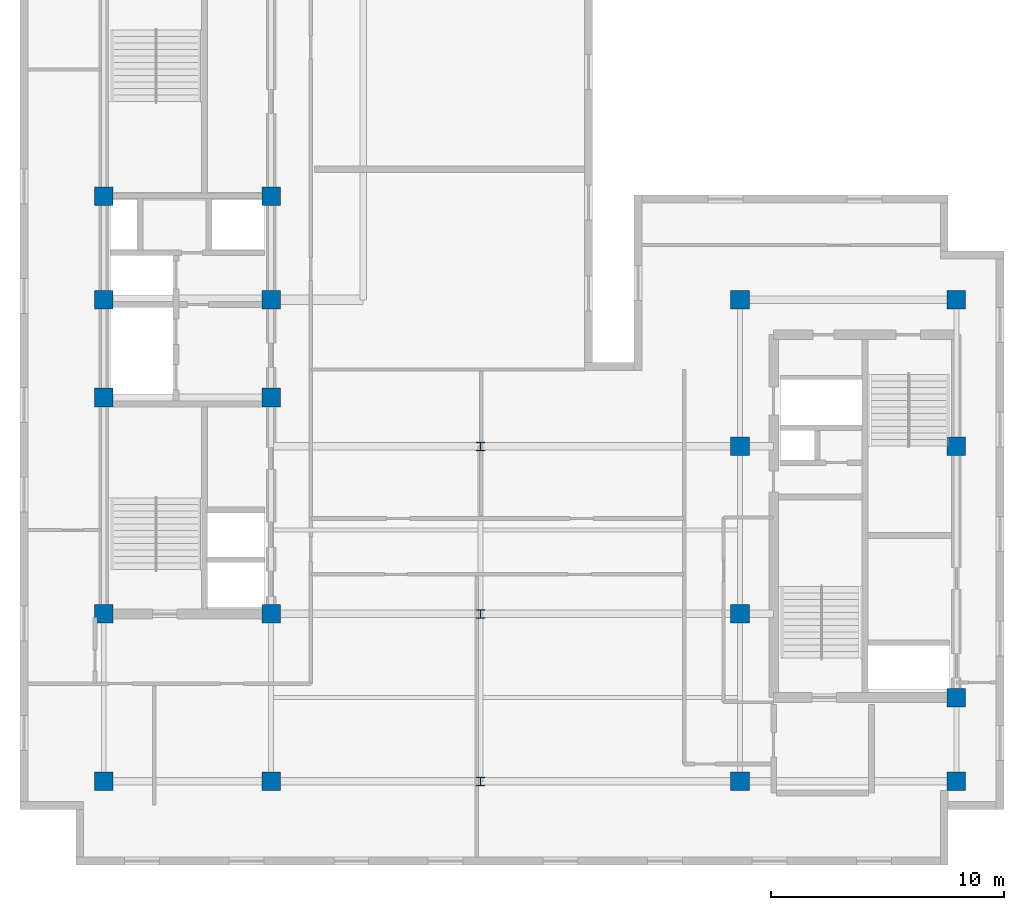
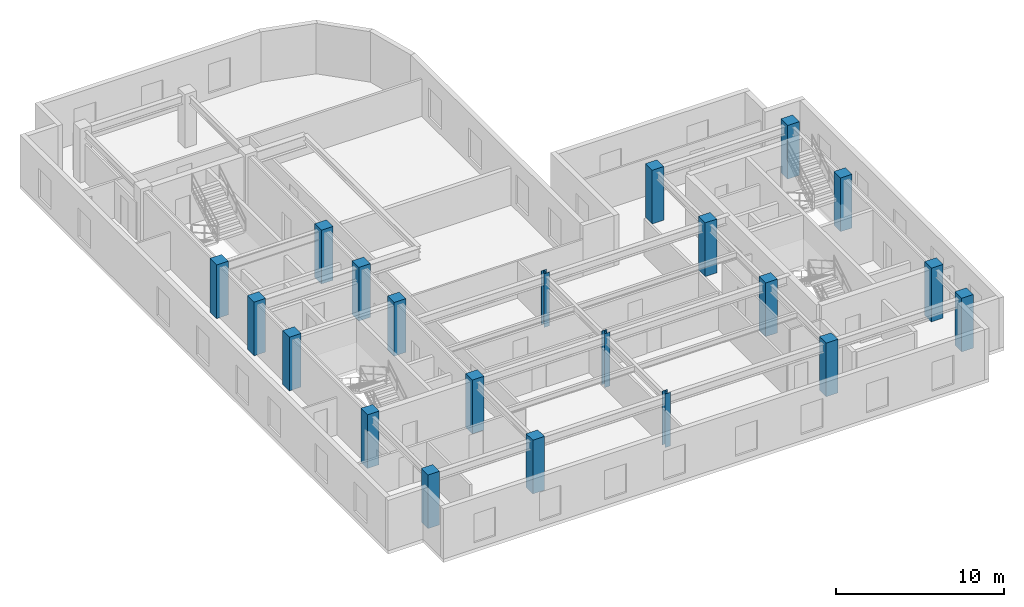
# One storey, part 1 of 9: 21 columns.
"""IFC4 building model written with IfcOpenShell, lengths in metres."""

from ifc_helpers import new_model, entity, si_unit, converted_unit, direction, frame, origin_with_axes, origin_2d_with_axis, place, context, subcontext, project, spatial, rectangle, i_section, extrude, material, material_profile, profile_set, type_object, element, save


model = new_model("IFC4")

# Units and contexts
model_context = context("Model", 3, precision=1e-05, world=origin_with_axes(), true_north=direction((0.0, 1.0)))
body_context = subcontext(model_context, "Body", "Model", "MODEL_VIEW")
ifc_project = project(units=[si_unit("LENGTHUNIT", "METRE"), si_unit("AREAUNIT", "SQUARE_METRE"), si_unit("VOLUMEUNIT", "CUBIC_METRE"), converted_unit("PLANEANGLEUNIT", "DEGREE", entity("IfcPlaneAngleMeasure", 0.017453292519943295), si_unit("PLANEANGLEUNIT", "RADIAN"), dimensions=[0, 0, 0, 0, 0, 0, 0]), si_unit("MASSUNIT", "GRAM", prefix="KILO"), si_unit("THERMODYNAMICTEMPERATUREUNIT", "KELVIN")], contexts=[model_context])

# Site, building, storey
site_placement = place(None, origin_with_axes())
site = spatial("IfcSite", under=ifc_project, at=site_placement, CompositionType="ELEMENT")
building_placement = place(site_placement, origin_with_axes())
building = spatial("IfcBuilding", under=site, at=building_placement, Name="Varnlund Millrace Tower", CompositionType="ELEMENT")
storey_placement = place(building_placement, frame((0.0, 0.0, 260.7), z_axis=(0.0, 0.0, 1.0), x_axis=(1.0, 0.0, 0.0)))
storey = spatial("IfcBuildingStorey", under=building, at=storey_placement, Name="L64", CompositionType="ELEMENT", Elevation=260.7)

# Columns
ifc_material_1 = material(Name="Steel ASTM A992 Grade 50", Category="steel")
ifc_material_profile_1 = material_profile(ifc_material_1, i_section(OverallWidth=0.369, OverallDepth=0.356, WebThickness=0.0112, FlangeThickness=0.018, FilletRadius=0.018, at=origin_2d_with_axis()), Name="Steel ASTM A992 Grade 50")
ifc_profile_set_1 = profile_set([ifc_material_profile_1], Name="Steel ASTM A992 Grade 50")
column_type_1 = type_object("IfcColumnType", Name="Type-Col-Int-W14X90", PredefinedType="COLUMN", material=ifc_profile_set_1)
for number, where, z_axis, x_axis, name in (
    (1, (27.6, 3.6, 0.0), (0.0, 0.0, 1.0), (1.0, 0.0, 0.0), "Type-Col-Int-W14X90"),
    (2, (27.6, 10.8, 0.0), (0.0, 0.0, 1.0), (1.0, 0.0, 0.0), "Type-Col-Int-W14X90"),
    (3, (27.6, 18.0, 0.0), (0.0, 0.0, 1.0), (1.0, 0.0, 0.0), "Type-Col-Int-W14X90"),
):
    element("IfcColumn", number, at=place(storey_placement, frame(where, z_axis=z_axis, x_axis=x_axis)), inside=storey, type_object=column_type_1, Name=name, PredefinedType="COLUMN", context=body_context, shape_type="SweptSolid", body=[
        extrude(i_section(OverallWidth=0.369, OverallDepth=0.356, WebThickness=0.0112, FlangeThickness=0.018, FilletRadius=0.018, at=origin_2d_with_axis()), origin_with_axes(), (0.0, 0.0, 1.0), 3.9),
    ])
ifc_material_2 = material(Name="Concrete C60/75", Category="concrete")
ifc_material_profile_2 = material_profile(ifc_material_2, rectangle(XDim=0.8, YDim=0.8, at=origin_2d_with_axis()), Name="Concrete C60/75")
ifc_profile_set_2 = profile_set([ifc_material_profile_2], Name="Concrete C60/75")
column_type_2 = type_object("IfcColumnType", Name="Type-Col-RC800-C60", PredefinedType="COLUMN", material=ifc_profile_set_2)
for number, where, z_axis, x_axis, name in (
    (4, (11.4, 3.6, 0.0), (0.0, 0.0, 1.0), (1.0, 0.0, 0.0), "Type-Col-RC800-C60"),
    (5, (11.4, 10.8, 0.0), (0.0, 0.0, 1.0), (1.0, 0.0, 0.0), "Type-Col-RC800-C60"),
    (6, (11.4, 20.1, 0.0), (0.0, 0.0, 1.0), (1.0, 0.0, 0.0), "Type-Col-RC800-C60"),
    (7, (11.4, 24.3, 0.0), (0.0, 0.0, 1.0), (1.0, 0.0, 0.0), "Type-Col-RC800-C60"),
    (8, (11.4, 28.75, 0.0), (0.0, 0.0, 1.0), (1.0, 0.0, 0.0), "Type-Col-RC800-C60"),
    (9, (18.6, 3.6, 0.0), (0.0, 0.0, 1.0), (1.0, 0.0, 0.0), "Type-Col-RC800-C60"),
    (10, (18.6, 10.8, 0.0), (0.0, 0.0, 1.0), (1.0, 0.0, 0.0), "Type-Col-RC800-C60"),
    (11, (18.6, 20.1, 0.0), (0.0, 0.0, 1.0), (1.0, 0.0, 0.0), "Type-Col-RC800-C60"),
    (12, (18.6, 24.3, 0.0), (0.0, 0.0, 1.0), (1.0, 0.0, 0.0), "Type-Col-RC800-C60"),
    (13, (18.6, 28.75, 0.0), (0.0, 0.0, 1.0), (1.0, 0.0, 0.0), "Type-Col-RC800-C60"),
    (14, (38.75, 3.6, 0.0), (0.0, 0.0, 1.0), (1.0, 0.0, 0.0), "Type-Col-RC800-C60"),
    (15, (38.75, 10.8, 0.0), (0.0, 0.0, 1.0), (1.0, 0.0, 0.0), "Type-Col-RC800-C60"),
    (16, (38.75, 18.0, 0.0), (0.0, 0.0, 1.0), (1.0, 0.0, 0.0), "Type-Col-RC800-C60"),
    (17, (38.75, 24.3, 0.0), (0.0, 0.0, 1.0), (1.0, 0.0, 0.0), "Type-Col-RC800-C60"),
    (18, (48.05, 3.6, 0.0), (0.0, 0.0, 1.0), (1.0, 0.0, 0.0), "Type-Col-RC800-C60"),
    (19, (48.05, 7.2, 0.0), (0.0, 0.0, 1.0), (1.0, 0.0, 0.0), "Type-Col-RC800-C60"),
    (20, (48.05, 18.0, 0.0), (0.0, 0.0, 1.0), (1.0, 0.0, 0.0), "Type-Col-RC800-C60"),
    (21, (48.05, 24.3, 0.0), (0.0, 0.0, 1.0), (1.0, 0.0, 0.0), "Type-Col-RC800-C60"),
):
    element("IfcColumn", number, at=place(storey_placement, frame(where, z_axis=z_axis, x_axis=x_axis)), inside=storey, type_object=column_type_2, Name=name, PredefinedType="COLUMN", context=body_context, shape_type="SweptSolid", body=[
        extrude(rectangle(XDim=0.8, YDim=0.8, at=origin_2d_with_axis()), origin_with_axes(), (0.0, 0.0, 1.0), 3.9),
    ])

save(model, "model.ifc")
